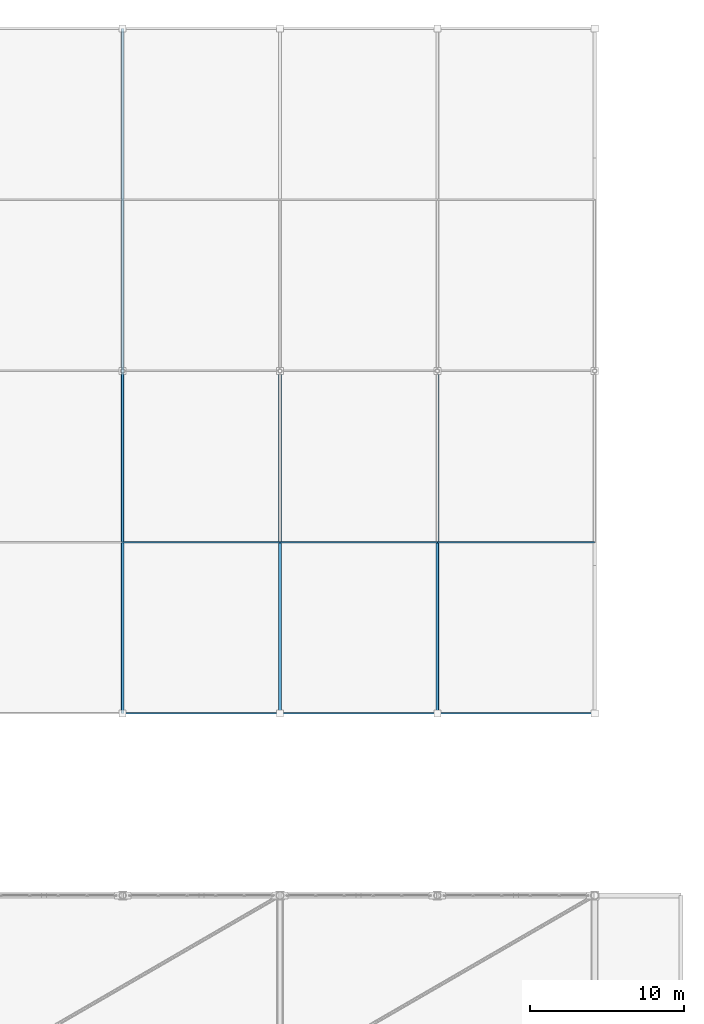
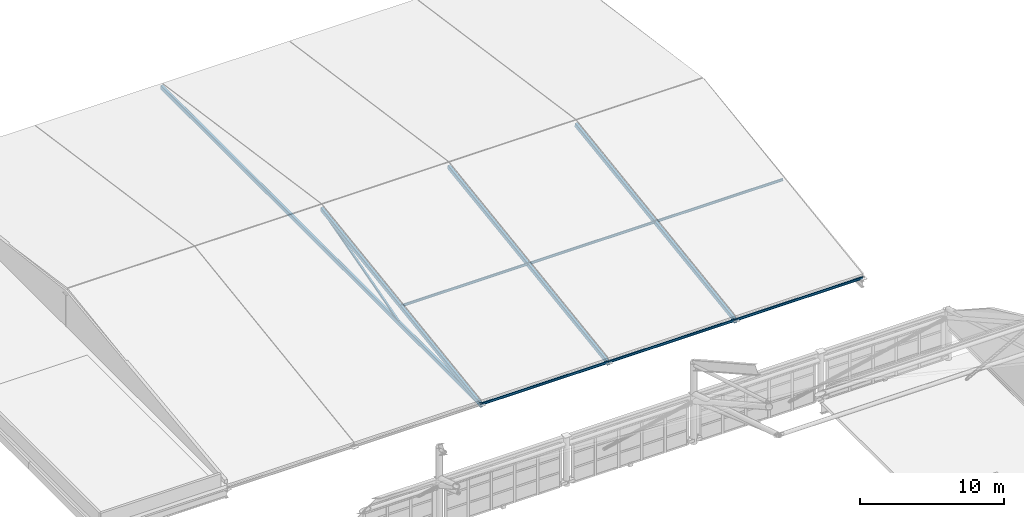
# One storey, part 84 of 135: 11 members.
"""IFC4 building model written with IfcOpenShell, lengths in metres."""

from ifc_helpers import new_model, si_unit, direction, frame, origin, origin_2d, place, context, subcontext, project, spatial, hollow_rectangle, i_section, extrude, material, material_profile, profile_set, type_object, element, save


model = new_model("IFC4")

# Units and contexts
model_context = context("Model", 3, precision=1e-05, world=origin(), true_north=direction((0.0, 1.0)))
body_context = subcontext(model_context, "Body", "Model", "MODEL_VIEW")
ifc_project = project(units=[si_unit("LENGTHUNIT", "METRE"), si_unit("AREAUNIT", "SQUARE_METRE"), si_unit("VOLUMEUNIT", "CUBIC_METRE"), si_unit("PLANEANGLEUNIT", "RADIAN"), si_unit("MASSUNIT", "GRAM", prefix="KILO")], contexts=[model_context])

# Site, building, storey
site_placement = place(None, origin())
site = spatial("IfcSite", under=ifc_project, at=site_placement, CompositionType="ELEMENT")
building_placement = place(site_placement, origin())
building = spatial("IfcBuilding", under=site, at=building_placement, Name="Brelvane Convention Centre", CompositionType="ELEMENT")
storey_placement = place(building_placement, frame((0.0, 0.0, 15.0)))
storey = spatial("IfcBuildingStorey", under=building, at=storey_placement, Name="L03", CompositionType="ELEMENT", Elevation=15.0)

# Members
ifc_material_1 = material(Name="Steel E350 (350 MPa)", Category="steel")
ifc_material_profile_1 = material_profile(ifc_material_1, hollow_rectangle(XDim=0.14990234375, YDim=0.14990234375, WallThickness=0.008056640625, InnerFilletRadius=0.008056640625, OuterFilletRadius=0.01611328125, at=origin_2d()), Name="SHS 150x150x8.0")
ifc_profile_set_1 = profile_set([ifc_material_profile_1], Name="Steel E350 (350 MPa)")
member_type_1 = type_object("IfcMemberType", Name="Steel Brace TR-WB1 (SHS 150x150x8.0)", PredefinedType="BRACE", material=ifc_profile_set_1)
member_1_placement = place(storey_placement, frame((193.800048828125, 110.699951171875, -0.35009765625), z_axis=(0.0, 0.96246484853, 0.271406365702), x_axis=(-1.0, 0.0, 0.0)))
element("IfcMember", 1, at=member_1_placement, inside=storey, type_object=member_type_1, Name="Ballroom Roof Truss Web 3-S", PredefinedType="BRACE", context=body_context, shape_type="SweptSolid", body=[
    extrude(hollow_rectangle(XDim=0.14990234375, YDim=0.14990234375, WallThickness=0.008056640625, InnerFilletRadius=0.008056640625, OuterFilletRadius=0.01611328125, at=origin_2d()), origin(), (0.0, 0.0, 1.0), 11.532958984375),
])
ifc_material_2 = material(Name="Steel E350 (350 MPa)", Category="steel")
ifc_material_profile_2 = material_profile(ifc_material_2, hollow_rectangle(XDim=0.199951171875, YDim=0.35009765625, WallThickness=0.012451171875, InnerFilletRadius=0.012451171875, OuterFilletRadius=0.02490234375, at=origin_2d()), Name="RHS 350x200x12.5")
ifc_profile_set_2 = profile_set([ifc_material_profile_2], Name="Steel E350 (350 MPa)")
member_type_2 = type_object("IfcMemberType", Name="Steel Chord TR-CH1 (RHS 350x200x12.5)", PredefinedType="CHORD", material=ifc_profile_set_2)
member_2_placement = place(storey_placement, frame((193.800048828125, 99.60009765625, -0.35009765625), z_axis=(0.0, 1.0, 0.0), x_axis=(-1.0, 0.0, 0.0)))
element("IfcMember", 2, at=member_2_placement, inside=storey, type_object=member_type_2, Name="Ballroom Roof Truss Bottom Chord T3", PredefinedType="CHORD", context=body_context, shape_type="SweptSolid", body=[
    extrude(hollow_rectangle(XDim=0.199951171875, YDim=0.35009765625, WallThickness=0.012451171875, InnerFilletRadius=0.012451171875, OuterFilletRadius=0.02490234375, at=origin_2d()), origin(), (0.0, 0.0, 1.0), 44.39990234375),
])
for number, where, z_axis, x_axis, name in (
    (3, (193.800048828125, 99.60009765625, -0.419921875), (0.0, 0.989770632644, 0.142667777568), (-1.0, 0.0, 0.0), "Ballroom Roof Truss Top Chord T3-S"),
    (4, (204.0, 99.60009765625, -0.419921875), (0.0, 0.989770632644, 0.142667777568), (-1.0, 0.0, 0.0), "Ballroom Roof Truss Top Chord T4-S"),
    (5, (214.199951171875, 99.60009765625, -0.419921875), (0.0, 0.989770632644, 0.142667777568), (-1.0, 0.0, 0.0), "Ballroom Roof Truss Top Chord T5-S"),
):
    element("IfcMember", number, at=place(storey_placement, frame(where, z_axis=z_axis, x_axis=x_axis)), inside=storey, type_object=member_type_2, Name=name, PredefinedType="CHORD", context=body_context, shape_type="SweptSolid", body=[
        extrude(hollow_rectangle(XDim=0.199951171875, YDim=0.35009765625, WallThickness=0.012451171875, InnerFilletRadius=0.012451171875, OuterFilletRadius=0.02490234375, at=origin_2d()), origin(), (0.0, 0.0, 1.0), 22.429443359375),
    ])
ifc_material_3 = material(Name="Steel E350 (350 MPa)", Category="steel")
ifc_material_profile_3 = material_profile(ifc_material_3, i_section(OverallWidth=0.10009765625, OverallDepth=0.199951171875, WebThickness=0.005615234375, FlangeThickness=0.0107421875, FilletRadius=0.010986328125, at=origin_2d()), Name="ISMB 200")
ifc_profile_set_3 = profile_set([ifc_material_profile_3], Name="Steel E350 (350 MPa)")
member_type_3 = type_object("IfcMemberType", Name="Steel Purlin PR-ST2 (ISMB 200)", PredefinedType="PURLIN", material=ifc_profile_set_3)
for number, where, z_axis, x_axis, name in (
    (6, (193.800048828125, 99.60009765625, -0.300048828125), (1.0, 0.0, 0.0), (0.0, 1.0, 0.0), "Ballroom Roof Purlin B3-P1"),
    (7, (193.800048828125, 110.699951171875, 1.300048828125), (1.0, 0.0, 0.0), (0.0, 1.0, 0.0), "Ballroom Roof Purlin B3-P2"),
    (8, (204.0, 99.60009765625, -0.300048828125), (1.0, 0.0, 0.0), (0.0, 1.0, 0.0), "Ballroom Roof Purlin B4-P1"),
    (9, (204.0, 110.699951171875, 1.300048828125), (1.0, 0.0, 0.0), (0.0, 1.0, 0.0), "Ballroom Roof Purlin B4-P2"),
    (10, (214.199951171875, 99.60009765625, -0.300048828125), (1.0, 0.0, 0.0), (0.0, 1.0, 0.0), "Ballroom Roof Purlin B5-P1"),
    (11, (214.199951171875, 110.699951171875, 1.300048828125), (1.0, 0.0, 0.0), (0.0, 1.0, 0.0), "Ballroom Roof Purlin B5-P2"),
):
    element("IfcMember", number, at=place(storey_placement, frame(where, z_axis=z_axis, x_axis=x_axis)), inside=storey, type_object=member_type_3, Name=name, PredefinedType="PURLIN", context=body_context, shape_type="SweptSolid", body=[
        extrude(i_section(OverallWidth=0.10009765625, OverallDepth=0.199951171875, WebThickness=0.005615234375, FlangeThickness=0.0107421875, FilletRadius=0.010986328125, at=origin_2d()), origin(), (0.0, 0.0, 1.0), 10.199951171875),
    ])

save(model, "model.ifc")
